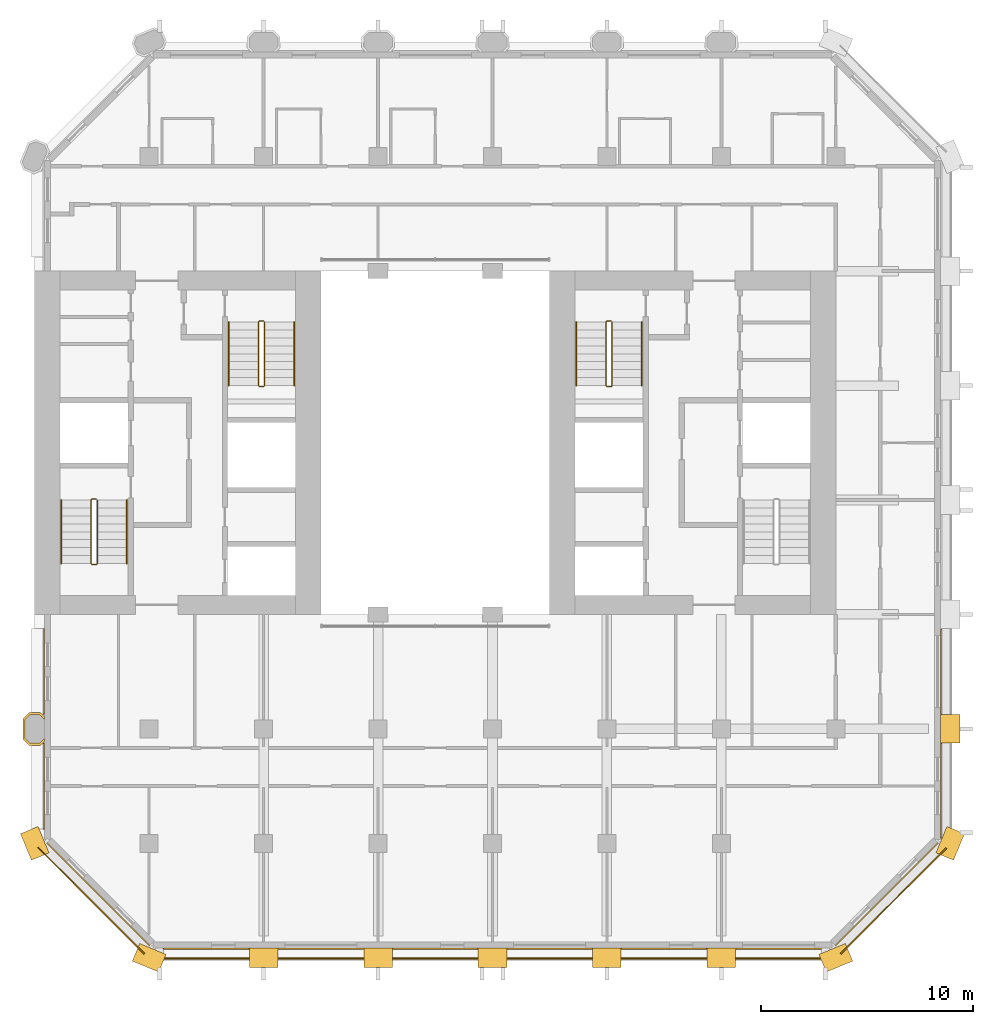
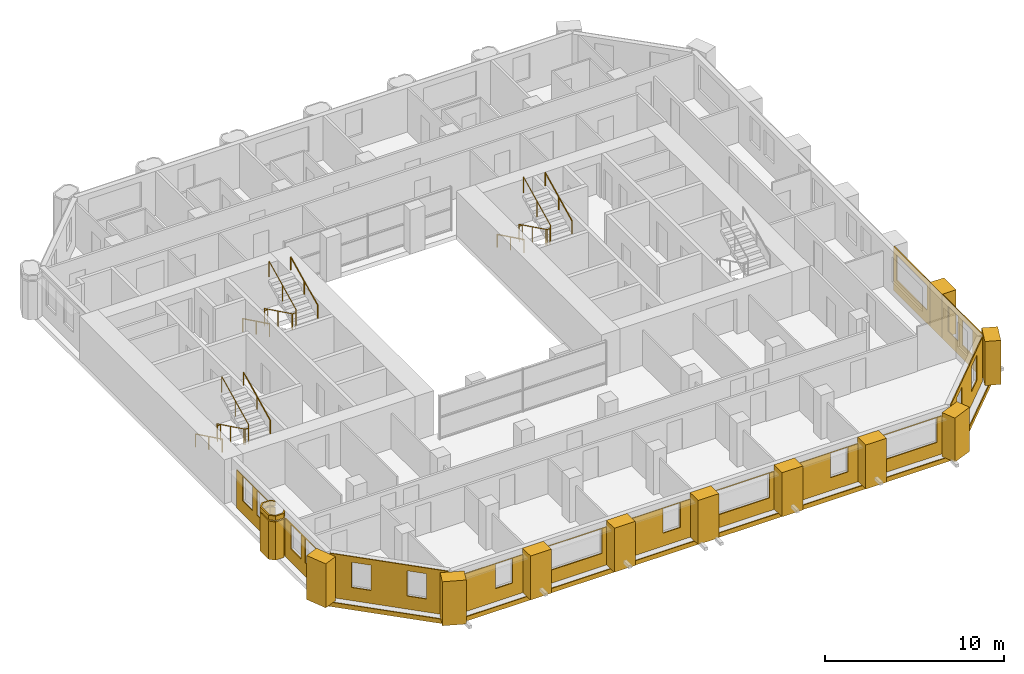
# One storey, part 12 of 13: 27 coverings, 9 railings.
"""IFC4 building model written with IfcOpenShell, lengths in metres."""

from ifc_helpers import new_model, si_unit, direction, frame, frame_2d, origin, origin_2d, place, context, subcontext, project, spatial, polyline, rectangle, circle, outline, extrude, material, layer, layer_set, type_object, element, save


model = new_model("IFC4")

# Units and contexts
model_context = context("Model", 3, precision=1e-05, world=origin(), true_north=direction((0.0, 1.0)))
body_context = subcontext(model_context, "Body", "Model", "MODEL_VIEW")
ifc_project = project(units=[si_unit("LENGTHUNIT", "METRE"), si_unit("AREAUNIT", "SQUARE_METRE"), si_unit("VOLUMEUNIT", "CUBIC_METRE"), si_unit("PLANEANGLEUNIT", "RADIAN"), si_unit("MASSUNIT", "GRAM", prefix="KILO")], contexts=[model_context])

# Site, building, storey
site_placement = place(None, origin())
site = spatial("IfcSite", under=ifc_project, at=site_placement, CompositionType="ELEMENT")
building_placement = place(site_placement, origin())
building = spatial("IfcBuilding", under=site, at=building_placement, Name="Tabaq Tower and Sports Hall", CompositionType="ELEMENT")
storey_placement = place(building_placement, frame((0.0, 0.0, 169.300048828125)))
storey = spatial("IfcBuildingStorey", under=building, at=storey_placement, Name="L40", CompositionType="ELEMENT", Elevation=169.300048828125)

# Coverings
ifc_material_1 = material(Name="Precast concrete C60/75", Category="concrete")
ifc_layer_1 = layer(ifc_material_1, 0.10009765625)
ifc_layer_set_1 = layer_set([ifc_layer_1], Name="Column cladding 100")
covering_type_1 = type_object("IfcCoveringType", Name="Column cladding 100", PredefinedType="CLADDING", material=ifc_layer_set_1)
covering_1_placement = place(storey_placement, origin())
element("IfcCovering", 1, at=covering_1_placement, inside=storey, type_object=covering_type_1, Name="Column cladding L40 PC-2C-H1", PredefinedType="CLADDING", context=body_context, shape_type="SweptSolid", body=[
    extrude(outline(polyline([(5.1337890625, 10.025390625), (4.850341796875, 10.30859375), (4.850341796875, 11.291259765625), (5.1337890625, 11.57470703125), (5.666259765625, 11.57470703125), (5.849609375, 11.391357421875), (5.849609375, 11.250732421875), (5.625244140625, 11.475341796875), (5.1748046875, 11.475341796875), (4.94970703125, 11.250244140625), (4.94970703125, 10.349853515625), (5.1748046875, 10.124755859375), (5.625244140625, 10.124755859375), (5.849609375, 10.349365234375), (5.849609375, 10.208740234375), (5.666259765625, 10.025390625), (5.1337890625, 10.025390625)])), origin(), (0.0, 0.0, 1.0), 2.599853515625),
])
covering_2_placement = place(storey_placement, frame((0.0, 0.0, 2.699951171875)))
element("IfcCovering", 2, at=covering_2_placement, inside=storey, type_object=covering_type_1, Name="Column cladding L40 PC-2C-H1 2", PredefinedType="CLADDING", context=body_context, shape_type="SweptSolid", body=[
    extrude(outline(polyline([(5.1337890625, 10.025390625), (4.850341796875, 10.30859375), (4.850341796875, 11.291259765625), (5.1337890625, 11.57470703125), (5.666259765625, 11.57470703125), (5.849609375, 11.391357421875), (5.849609375, 11.250732421875), (5.625244140625, 11.475341796875), (5.1748046875, 11.475341796875), (4.94970703125, 11.250244140625), (4.94970703125, 10.349853515625), (5.1748046875, 10.124755859375), (5.625244140625, 10.124755859375), (5.849609375, 10.349365234375), (5.849609375, 10.208740234375), (5.666259765625, 10.025390625), (5.1337890625, 10.025390625)])), origin(), (0.0, 0.0, 1.0), 0.300048828125),
])
ifc_material_2 = material(Name="Precast concrete C60/75", Category="concrete")
ifc_layer_2 = layer(ifc_material_2, 0.06005859375)
ifc_layer_set_2 = layer_set([ifc_layer_2], Name="Edge beam cladding 60")
covering_type_2 = type_object("IfcCoveringType", Name="Edge beam cladding 60", PredefinedType="CLADDING", material=ifc_layer_set_2)
covering_3_placement = place(storey_placement, frame((11.0986328125, -0.030029296875, -0.300048828125), z_axis=(0.0, 0.0, 1.0), x_axis=(1.0, 0.0, 0.0)))
element("IfcCovering", 3, at=covering_3_placement, inside=storey, type_object=covering_type_2, Name="Edge beam cladding L40 1", PredefinedType="CLADDING", context=body_context, shape_type="SweptSolid", body=[
    extrude(rectangle(XDim=31.802734375, YDim=0.06005859375, at=frame_2d((15.9013671875, 0.0))), origin(), (0.0, 0.0, 1.0), 0.300048828125),
])
covering_4_placement = place(storey_placement, frame((43.432373046875, 0.18994140625, -0.300048828125), z_axis=(0.0, 0.0, 1.0), x_axis=(0.707106781187, 0.707106781187, 0.0)))
element("IfcCovering", 4, at=covering_4_placement, inside=storey, type_object=covering_type_2, Name="Edge beam cladding L40 2", PredefinedType="CLADDING", context=body_context, shape_type="SweptSolid", body=[
    extrude(rectangle(XDim=7.03955078125, YDim=0.06005859375, at=frame_2d((3.519775390625, 0.0))), origin(), (0.0, 0.0, 1.0), 0.300048828125),
])
covering_5_placement = place(storey_placement, frame((5.5556640625, 5.201904296875, -0.300048828125), z_axis=(0.0, 0.0, 1.0), x_axis=(0.707106781187, -0.707106781187, 0.0)))
element("IfcCovering", 5, at=covering_5_placement, inside=storey, type_object=covering_type_2, Name="Edge beam cladding L40 5", PredefinedType="CLADDING", context=body_context, shape_type="SweptSolid", body=[
    extrude(rectangle(XDim=7.087890625, YDim=0.06005859375, at=frame_2d((3.5439453125, 0.0))), origin(), (0.0, 0.0, 1.0), 0.300048828125),
])
ifc_material_3 = material(Name="White precast concrete C60/75", Category="concrete")
covering_type_3 = type_object("IfcCoveringType", Name="Pier cladding hung 1350x900", PredefinedType="CLADDING", material=ifc_material_3)
for number, where, z_axis, x_axis, name in (
    (6, (5.1416015625, 6.023681640625, 0.0), (0.0, 0.0, 1.0), (0.382649923473, -0.923893411637, 0.0), "Hung pier cladding 1/1"),
    (7, (10.17626953125, 0.25830078125, 0.0), (0.0, 0.0, 1.0), (0.923893411637, -0.382649923473, 0.0), "Hung pier cladding 2/0"),
    (8, (15.52490234375, 0.0, 0.0), (0.0, 0.0, 1.0), (1.0, 0.0, 0.0), "Hung pier cladding 3/0"),
):
    element("IfcCovering", number, at=place(storey_placement, frame(where, z_axis=z_axis, x_axis=x_axis)), inside=storey, type_object=covering_type_3, Name=name, PredefinedType="CLADDING", context=body_context, shape_type="SweptSolid", body=[
        extrude(rectangle(XDim=1.35009765625, YDim=0.89990234375, at=frame_2d((0.675048828125, 0.0))), origin(), (0.0, 0.0, 1.0), 3.0),
    ])
covering_6_placement = place(storey_placement, frame((20.925048828125, 0.0, 0.0), z_axis=(0.0, 0.0, 1.0), x_axis=(1.0, 0.0, 0.0)))
element("IfcCovering", 9, at=covering_6_placement, inside=storey, type_object=covering_type_3, Name="Hung pier cladding 4/0", PredefinedType="CLADDING", context=body_context, shape_type="SweptSolid", body=[
    extrude(rectangle(XDim=1.349853515625, YDim=0.89990234375, at=frame_2d((0.6748046875, 0.0))), origin(), (0.0, 0.0, 1.0), 3.0),
])
covering_7_placement = place(storey_placement, frame((26.324951171875, 0.0, 0.0), z_axis=(0.0, 0.0, 1.0), x_axis=(1.0, 0.0, 0.0)))
element("IfcCovering", 10, at=covering_7_placement, inside=storey, type_object=covering_type_3, Name="Hung pier cladding 5/0", PredefinedType="CLADDING", context=body_context, shape_type="SweptSolid", body=[
    extrude(rectangle(XDim=1.35009765625, YDim=0.89990234375, at=frame_2d((0.675048828125, 0.0))), origin(), (0.0, 0.0, 1.0), 3.0),
])
covering_8_placement = place(storey_placement, frame((31.72509765625, 0.0, 0.0), z_axis=(0.0, 0.0, 1.0), x_axis=(1.0, 0.0, 0.0)))
element("IfcCovering", 11, at=covering_8_placement, inside=storey, type_object=covering_type_3, Name="Hung pier cladding 6/0", PredefinedType="CLADDING", context=body_context, shape_type="SweptSolid", body=[
    extrude(rectangle(XDim=1.349853515625, YDim=0.89990234375, at=frame_2d((0.6748046875, 0.0))), origin(), (0.0, 0.0, 1.0), 3.0),
])
for number, where, z_axis, x_axis, name in (
    (12, (37.125, 0.0, 0.0), (0.0, 0.0, 1.0), (1.0, 0.0, 0.0), "Hung pier cladding 7/0"),
    (13, (42.576416015625, -0.25830078125, 0.0), (0.0, 0.0, 1.0), (0.923893411637, 0.382649923473, 0.0), "Hung pier cladding 8/0"),
    (14, (48.341796875, 4.7763671875, 0.0), (0.0, 0.0, 1.0), (0.382649923473, 0.923893411637, 0.0), "Hung pier cladding 9/1"),
    (15, (48.60009765625, 10.125, 0.0), (0.0, 0.0, 1.0), (0.0, 1.0, 0.0), "Hung pier cladding 9/2"),
):
    element("IfcCovering", number, at=place(storey_placement, frame(where, z_axis=z_axis, x_axis=x_axis)), inside=storey, type_object=covering_type_3, Name=name, PredefinedType="CLADDING", context=body_context, shape_type="SweptSolid", body=[
        extrude(rectangle(XDim=1.35009765625, YDim=0.89990234375, at=frame_2d((0.675048828125, 0.0))), origin(), (0.0, 0.0, 1.0), 3.0),
    ])

# Railings
ifc_material_4 = material(Name="Stainless steel", Category="steel")
railing_type_1 = type_object("IfcRailingType", Name="Stair guard", PredefinedType="GUARDRAIL", material=ifc_material_4)
railing_1_placement = place(storey_placement, frame((8.300048828125, 21.64990234375, 0.0)))
element("IfcRailing", 16, at=railing_1_placement, inside=storey, type_object=railing_type_1, Name="L40 ST1 stair guard 1", PredefinedType="GUARDRAIL", context=body_context, shape_type="SweptSolid", body=[
    extrude(circle(Radius=0.02392578125, at=origin_2d()), frame((0.0, 0.0, 1.076171875), z_axis=(-1.0, 0.0, 0.0), x_axis=(0.0, -1.0, 0.0)), (0.0, 0.0, 1.0), 0.199951171875),
    extrude(circle(Radius=0.02392578125, at=origin_2d()), frame((-0.199951171875, 0.0, 1.076171875), z_axis=(-0.254733673405, -0.25349107012, 0.933195066962), x_axis=(0.705375805398, -0.708833529934, 0.0)), (0.0, 0.0, 1.0), 0.196533203125),
    extrude(circle(Radius=0.02392578125, at=origin_2d()), frame((-0.25, -0.0498046875, 1.25927734375), z_axis=(0.0, -0.898397823093, 0.439182594671), x_axis=(1.0, 0.0, 0.0)), (0.0, 0.0, 1.0), 3.33935546875),
    extrude(circle(Radius=0.02392578125, at=origin_2d()), frame((-0.25, -3.0498046875, 2.72607421875), z_axis=(0.707106781187, -0.707106781187, 0.0), x_axis=(0.707106781187, 0.707106781187, 0.0)), (0.0, 0.0, 1.0), 0.07080078125),
    extrude(circle(Radius=0.02392578125, at=origin_2d()), frame((-0.199951171875, -3.099853515625, 2.72607421875), z_axis=(1.0, 0.0, 0.0), x_axis=(0.0, 1.0, 0.0)), (0.0, 0.0, 1.0), 0.199951171875),
    extrude(circle(Radius=0.02392578125, at=origin_2d()), frame((0.0, -3.099853515625, 2.72607421875), z_axis=(0.254653276557, 0.254653276557, 0.932900539971), x_axis=(-0.707106781187, 0.707106781187, 0.0)), (0.0, 0.0, 1.0), 0.196533203125),
    extrude(circle(Radius=0.02392578125, at=origin_2d()), frame((0.050048828125, -3.0498046875, 2.9091796875), z_axis=(0.0, 0.898368975038, 0.439241601728), x_axis=(-1.0, 0.0, 0.0)), (0.0, 0.0, 1.0), 3.33935546875),
    extrude(circle(Radius=0.02099609375, at=origin_2d()), origin(), (0.0, 0.0, 1.0), 1.052001953125),
    extrude(circle(Radius=0.02099609375, at=origin_2d()), frame((-0.199951171875, 0.0, 0.0)), (0.0, 0.0, 1.0), 1.052001953125),
    extrude(circle(Radius=0.02099609375, at=origin_2d()), frame((-0.25, -0.0498046875, 0.183349609375)), (0.0, 0.0, 1.0), 1.052001953125),
    extrude(circle(Radius=0.02099609375, at=origin_2d()), frame((-0.25, -1.5498046875, 0.91650390625)), (0.0, 0.0, 1.0), 1.052001953125),
    extrude(circle(Radius=0.02099609375, at=origin_2d()), frame((-0.25, -3.0498046875, 1.64990234375)), (0.0, 0.0, 1.0), 1.052001953125),
    extrude(circle(Radius=0.02099609375, at=origin_2d()), frame((-0.199951171875, -3.099853515625, 1.64990234375)), (0.0, 0.0, 1.0), 1.052001953125),
    extrude(circle(Radius=0.02099609375, at=origin_2d()), frame((0.0, -3.099853515625, 1.64990234375)), (0.0, 0.0, 1.0), 1.052001953125),
    extrude(circle(Radius=0.02099609375, at=origin_2d()), frame((0.050048828125, -3.0498046875, 1.833251953125)), (0.0, 0.0, 1.0), 1.052001953125),
    extrude(circle(Radius=0.02099609375, at=origin_2d()), frame((0.050048828125, -1.5498046875, 2.566650390625)), (0.0, 0.0, 1.0), 1.052001953125),
    extrude(circle(Radius=0.02099609375, at=origin_2d()), frame((0.050048828125, -0.0498046875, 3.300048828125)), (0.0, 0.0, 1.0), 1.052001953125),
])
railing_2_placement = place(storey_placement, frame((16.199951171875, 30.050048828125, 0.0)))
element("IfcRailing", 17, at=railing_2_placement, inside=storey, type_object=railing_type_1, Name="L40 ST2 stair guard 1", PredefinedType="GUARDRAIL", context=body_context, shape_type="SweptSolid", body=[
    extrude(circle(Radius=0.02392578125, at=origin_2d()), frame((0.0, 0.0, 1.076171875), z_axis=(-1.0, 0.0, 0.0), x_axis=(0.0, -1.0, 0.0)), (0.0, 0.0, 1.0), 0.199951171875),
    extrude(circle(Radius=0.02392578125, at=origin_2d()), frame((-0.199951171875, 0.0, 1.076171875), z_axis=(-0.254653276557, -0.254653276557, 0.932900539971), x_axis=(0.707106781187, -0.707106781187, 0.0)), (0.0, 0.0, 1.0), 0.196533203125),
    extrude(circle(Radius=0.02392578125, at=origin_2d()), frame((-0.25, -0.050048828125, 1.25927734375), z_axis=(0.0, -0.898397823093, 0.439182594671), x_axis=(1.0, 0.0, 0.0)), (0.0, 0.0, 1.0), 3.33935546875),
    extrude(circle(Radius=0.02392578125, at=origin_2d()), frame((-0.25, -3.050048828125, 2.72607421875), z_axis=(0.707106781187, -0.707106781187, 0.0), x_axis=(0.707106781187, 0.707106781187, 0.0)), (0.0, 0.0, 1.0), 0.07080078125),
    extrude(circle(Radius=0.02392578125, at=origin_2d()), frame((-0.199951171875, -3.10009765625, 2.72607421875), z_axis=(1.0, 0.0, 0.0), x_axis=(0.0, 1.0, 0.0)), (0.0, 0.0, 1.0), 0.199951171875),
    extrude(circle(Radius=0.02392578125, at=origin_2d()), frame((0.0, -3.10009765625, 2.72607421875), z_axis=(0.254653276557, 0.254653276557, 0.932900539971), x_axis=(-0.707106781187, 0.707106781187, 0.0)), (0.0, 0.0, 1.0), 0.196533203125),
    extrude(circle(Radius=0.02392578125, at=origin_2d()), frame((0.050048828125, -3.050048828125, 2.9091796875), z_axis=(0.0, 0.898368975038, 0.439241601728), x_axis=(-1.0, 0.0, 0.0)), (0.0, 0.0, 1.0), 3.33935546875),
    extrude(circle(Radius=0.02099609375, at=origin_2d()), origin(), (0.0, 0.0, 1.0), 1.052001953125),
    extrude(circle(Radius=0.02099609375, at=origin_2d()), frame((-0.199951171875, 0.0, 0.0)), (0.0, 0.0, 1.0), 1.052001953125),
    extrude(circle(Radius=0.02099609375, at=origin_2d()), frame((-0.25, -0.050048828125, 0.183349609375)), (0.0, 0.0, 1.0), 1.052001953125),
    extrude(circle(Radius=0.02099609375, at=origin_2d()), frame((-0.25, -1.550048828125, 0.91650390625)), (0.0, 0.0, 1.0), 1.052001953125),
    extrude(circle(Radius=0.02099609375, at=origin_2d()), frame((-0.25, -3.050048828125, 1.64990234375)), (0.0, 0.0, 1.0), 1.052001953125),
    extrude(circle(Radius=0.02099609375, at=origin_2d()), frame((-0.199951171875, -3.10009765625, 1.64990234375)), (0.0, 0.0, 1.0), 1.052001953125),
    extrude(circle(Radius=0.02099609375, at=origin_2d()), frame((0.0, -3.10009765625, 1.64990234375)), (0.0, 0.0, 1.0), 1.052001953125),
    extrude(circle(Radius=0.02099609375, at=origin_2d()), frame((0.050048828125, -3.050048828125, 1.833251953125)), (0.0, 0.0, 1.0), 1.052001953125),
    extrude(circle(Radius=0.02099609375, at=origin_2d()), frame((0.050048828125, -1.550048828125, 2.566650390625)), (0.0, 0.0, 1.0), 1.052001953125),
    extrude(circle(Radius=0.02099609375, at=origin_2d()), frame((0.050048828125, -0.050048828125, 3.300048828125)), (0.0, 0.0, 1.0), 1.052001953125),
])
railing_3_placement = place(storey_placement, frame((32.60009765625, 30.050048828125, 0.0)))
element("IfcRailing", 18, at=railing_3_placement, inside=storey, type_object=railing_type_1, Name="L40 ST4 stair guard 1", PredefinedType="GUARDRAIL", context=body_context, shape_type="SweptSolid", body=[
    extrude(circle(Radius=0.02392578125, at=origin_2d()), frame((0.0, 0.0, 1.076171875), z_axis=(-1.0, 0.0, 0.0), x_axis=(0.0, -1.0, 0.0)), (0.0, 0.0, 1.0), 0.2001953125),
    extrude(circle(Radius=0.02392578125, at=origin_2d()), frame((-0.2001953125, 0.0, 1.076171875), z_axis=(-0.25349107012, -0.254733673405, 0.933195066962), x_axis=(0.708833529934, -0.705375805398, 0.0)), (0.0, 0.0, 1.0), 0.196533203125),
    extrude(circle(Radius=0.02392578125, at=origin_2d()), frame((-0.25, -0.050048828125, 1.25927734375), z_axis=(0.0, -0.898397823093, 0.439182594671), x_axis=(1.0, 0.0, 0.0)), (0.0, 0.0, 1.0), 3.33935546875),
    extrude(circle(Radius=0.02392578125, at=origin_2d()), frame((-0.25, -3.050048828125, 2.72607421875), z_axis=(0.705375805398, -0.708833529934, 0.0), x_axis=(0.708833529934, 0.705375805398, 0.0)), (0.0, 0.0, 1.0), 0.070556640625),
    extrude(circle(Radius=0.02392578125, at=origin_2d()), frame((-0.2001953125, -3.10009765625, 2.72607421875), z_axis=(1.0, 0.0, 0.0), x_axis=(0.0, 1.0, 0.0)), (0.0, 0.0, 1.0), 0.2001953125),
    extrude(circle(Radius=0.02392578125, at=origin_2d()), frame((0.0, -3.10009765625, 2.72607421875), z_axis=(0.25349107012, 0.254733673405, 0.933195066962), x_axis=(-0.708833529934, 0.705375805398, 0.0)), (0.0, 0.0, 1.0), 0.196533203125),
    extrude(circle(Radius=0.02392578125, at=origin_2d()), frame((0.0498046875, -3.050048828125, 2.9091796875), z_axis=(0.0, 0.898368975038, 0.439241601728), x_axis=(-1.0, 0.0, 0.0)), (0.0, 0.0, 1.0), 3.33935546875),
    extrude(circle(Radius=0.02099609375, at=origin_2d()), origin(), (0.0, 0.0, 1.0), 1.052001953125),
    extrude(circle(Radius=0.02099609375, at=origin_2d()), frame((-0.2001953125, 0.0, 0.0)), (0.0, 0.0, 1.0), 1.052001953125),
    extrude(circle(Radius=0.02099609375, at=origin_2d()), frame((-0.25, -0.050048828125, 0.183349609375)), (0.0, 0.0, 1.0), 1.052001953125),
    extrude(circle(Radius=0.02099609375, at=origin_2d()), frame((-0.25, -1.550048828125, 0.91650390625)), (0.0, 0.0, 1.0), 1.052001953125),
    extrude(circle(Radius=0.02099609375, at=origin_2d()), frame((-0.25, -3.050048828125, 1.64990234375)), (0.0, 0.0, 1.0), 1.052001953125),
    extrude(circle(Radius=0.02099609375, at=origin_2d()), frame((-0.2001953125, -3.10009765625, 1.64990234375)), (0.0, 0.0, 1.0), 1.052001953125),
    extrude(circle(Radius=0.02099609375, at=origin_2d()), frame((0.0, -3.10009765625, 1.64990234375)), (0.0, 0.0, 1.0), 1.052001953125),
    extrude(circle(Radius=0.02099609375, at=origin_2d()), frame((0.0498046875, -3.050048828125, 1.833251953125)), (0.0, 0.0, 1.0), 1.052001953125),
    extrude(circle(Radius=0.02099609375, at=origin_2d()), frame((0.0498046875, -1.550048828125, 2.566650390625)), (0.0, 0.0, 1.0), 1.052001953125),
    extrude(circle(Radius=0.02099609375, at=origin_2d()), frame((0.0498046875, -0.050048828125, 3.300048828125)), (0.0, 0.0, 1.0), 1.052001953125),
])
ifc_material_5 = material(Name="Stainless steel", Category="steel")
railing_type_2 = type_object("IfcRailingType", Name="Stair handrail", PredefinedType="HANDRAIL", material=ifc_material_5)
railing_4_placement = place(storey_placement, frame((6.64990234375, 21.60009765625, 0.183349609375)))
element("IfcRailing", 19, at=railing_4_placement, inside=storey, type_object=railing_type_2, Name="L40 ST1 stair handrail 1", PredefinedType="HANDRAIL", context=body_context, shape_type="SweptSolid", body=[
    extrude(circle(Radius=0.02392578125, at=origin_2d()), frame((0.0, 0.0, 0.8759765625), z_axis=(0.0, -0.898397823093, 0.439182594671), x_axis=(1.0, 0.0, 0.0)), (0.0, 0.0, 1.0), 3.33935546875),
    extrude(circle(Radius=0.02099609375, at=origin_2d()), origin(), (0.0, 0.0, 1.0), 0.851806640625),
    extrude(circle(Radius=0.02099609375, at=origin_2d()), frame((0.0, -1.5, 0.7333984375)), (0.0, 0.0, 1.0), 0.851806640625),
    extrude(circle(Radius=0.02099609375, at=origin_2d()), frame((0.0, -3.0, 1.466552734375)), (0.0, 0.0, 1.0), 0.851806640625),
])
railing_5_placement = place(storey_placement, frame((9.75, 18.60009765625, 1.833251953125)))
element("IfcRailing", 20, at=railing_5_placement, inside=storey, type_object=railing_type_2, Name="L40 ST1 stair handrail 2", PredefinedType="HANDRAIL", context=body_context, shape_type="SweptSolid", body=[
    extrude(circle(Radius=0.02392578125, at=origin_2d()), frame((0.0, 0.0, 0.8759765625), z_axis=(0.0, 0.898368975038, 0.439241601728), x_axis=(-1.0, 0.0, 0.0)), (0.0, 0.0, 1.0), 3.33935546875),
    extrude(circle(Radius=0.02099609375, at=origin_2d()), origin(), (0.0, 0.0, 1.0), 0.851806640625),
    extrude(circle(Radius=0.02099609375, at=origin_2d()), frame((0.0, 1.5, 0.7333984375)), (0.0, 0.0, 1.0), 0.851806640625),
    extrude(circle(Radius=0.02099609375, at=origin_2d()), frame((0.0, 3.0, 1.466796875)), (0.0, 0.0, 1.0), 0.851806640625),
])
railing_6_placement = place(storey_placement, frame((14.550048828125, 30.0, 0.183349609375)))
element("IfcRailing", 21, at=railing_6_placement, inside=storey, type_object=railing_type_2, Name="L40 ST2 stair handrail 1", PredefinedType="HANDRAIL", context=body_context, shape_type="SweptSolid", body=[
    extrude(circle(Radius=0.02392578125, at=origin_2d()), frame((0.0, 0.0, 0.8759765625), z_axis=(0.0, -0.898397823093, 0.439182594671), x_axis=(1.0, 0.0, 0.0)), (0.0, 0.0, 1.0), 3.33935546875),
    extrude(circle(Radius=0.02099609375, at=origin_2d()), origin(), (0.0, 0.0, 1.0), 0.851806640625),
    extrude(circle(Radius=0.02099609375, at=origin_2d()), frame((0.0, -1.5, 0.7333984375)), (0.0, 0.0, 1.0), 0.851806640625),
    extrude(circle(Radius=0.02099609375, at=origin_2d()), frame((0.0, -3.0, 1.466552734375)), (0.0, 0.0, 1.0), 0.851806640625),
])
railing_7_placement = place(storey_placement, frame((17.64990234375, 27.0, 1.833251953125)))
element("IfcRailing", 22, at=railing_7_placement, inside=storey, type_object=railing_type_2, Name="L40 ST2 stair handrail 2", PredefinedType="HANDRAIL", context=body_context, shape_type="SweptSolid", body=[
    extrude(circle(Radius=0.02392578125, at=origin_2d()), frame((0.0, 0.0, 0.8759765625), z_axis=(0.0, 0.898368975038, 0.439241601728), x_axis=(-1.0, 0.0, 0.0)), (0.0, 0.0, 1.0), 3.33935546875),
    extrude(circle(Radius=0.02099609375, at=origin_2d()), origin(), (0.0, 0.0, 1.0), 0.851806640625),
    extrude(circle(Radius=0.02099609375, at=origin_2d()), frame((0.0, 1.5, 0.7333984375)), (0.0, 0.0, 1.0), 0.851806640625),
    extrude(circle(Radius=0.02099609375, at=origin_2d()), frame((0.0, 3.0, 1.466796875)), (0.0, 0.0, 1.0), 0.851806640625),
])
railing_8_placement = place(storey_placement, frame((30.949951171875, 30.0, 0.183349609375)))
element("IfcRailing", 23, at=railing_8_placement, inside=storey, type_object=railing_type_2, Name="L40 ST4 stair handrail 1", PredefinedType="HANDRAIL", context=body_context, shape_type="SweptSolid", body=[
    extrude(circle(Radius=0.02392578125, at=origin_2d()), frame((0.0, 0.0, 0.8759765625), z_axis=(0.0, -0.898397823093, 0.439182594671), x_axis=(1.0, 0.0, 0.0)), (0.0, 0.0, 1.0), 3.33935546875),
    extrude(circle(Radius=0.02099609375, at=origin_2d()), origin(), (0.0, 0.0, 1.0), 0.851806640625),
    extrude(circle(Radius=0.02099609375, at=origin_2d()), frame((0.0, -1.5, 0.7333984375)), (0.0, 0.0, 1.0), 0.851806640625),
    extrude(circle(Radius=0.02099609375, at=origin_2d()), frame((0.0, -3.0, 1.466552734375)), (0.0, 0.0, 1.0), 0.851806640625),
])
railing_9_placement = place(storey_placement, frame((34.050048828125, 27.0, 1.833251953125)))
element("IfcRailing", 24, at=railing_9_placement, inside=storey, type_object=railing_type_2, Name="L40 ST4 stair handrail 2", PredefinedType="HANDRAIL", context=body_context, shape_type="SweptSolid", body=[
    extrude(circle(Radius=0.02392578125, at=origin_2d()), frame((0.0, 0.0, 0.8759765625), z_axis=(0.0, 0.898368975038, 0.439241601728), x_axis=(-1.0, 0.0, 0.0)), (0.0, 0.0, 1.0), 3.33935546875),
    extrude(circle(Radius=0.02099609375, at=origin_2d()), origin(), (0.0, 0.0, 1.0), 0.851806640625),
    extrude(circle(Radius=0.02099609375, at=origin_2d()), frame((0.0, 1.5, 0.7333984375)), (0.0, 0.0, 1.0), 0.851806640625),
    extrude(circle(Radius=0.02099609375, at=origin_2d()), frame((0.0, 3.0, 1.466796875)), (0.0, 0.0, 1.0), 0.851806640625),
])

# Coverings
ifc_material_6 = material(Name="Precast concrete C60/75", Category="concrete")
ifc_layer_3 = layer(ifc_material_6, 0.06005859375)
ifc_layer_set_3 = layer_set([ifc_layer_3], Name="White precast cladding panel 60 C60/75")
covering_type_4 = type_object("IfcCoveringType", Name="White precast cladding panel 60 C60/75", PredefinedType="CLADDING", material=ifc_layer_set_3)
covering_9_placement = place(storey_placement, frame((11.465087890625, 0.419921875, 0.0), z_axis=(0.0, 0.0, 1.0), x_axis=(1.0, 0.0, 0.0)))
element("IfcCovering", 25, at=covering_9_placement, inside=storey, type_object=covering_type_4, Name="White precast cladding panel L40 wall00", PredefinedType="CLADDING", context=body_context, shape_type="SweptSolid", body=[
    extrude(outline(polyline([(0.0, 0.0), (4.0498046875, 0.0), (4.0498046875, 2.58984375), (0.0, 2.58984375), (0.0, 0.0)]), holes=[polyline([(3.39501953125, 0.889892578125), (2.27490234375, 0.889892578125), (2.27490234375, 2.56005859375), (3.39501953125, 2.56005859375), (3.39501953125, 0.889892578125)])]), frame((0.0, 0.030029296875, 0.0), z_axis=(0.0, -1.0, 0.0), x_axis=(1.0, 0.0, 0.0)), (0.0, 0.0, 1.0), 0.06005859375),
])
covering_10_placement = place(storey_placement, frame((16.885009765625, 0.419921875, 0.0), z_axis=(0.0, 0.0, 1.0), x_axis=(1.0, 0.0, 0.0)))
element("IfcCovering", 26, at=covering_10_placement, inside=storey, type_object=covering_type_4, Name="White precast cladding panel L40 wall00 2", PredefinedType="CLADDING", context=body_context, shape_type="SweptSolid", body=[
    extrude(outline(polyline([(0.0, 0.0), (4.030029296875, 0.0), (4.030029296875, 2.58984375), (0.0, 2.58984375), (0.0, 0.0)]), holes=[polyline([(3.72509765625, 0.889892578125), (0.304931640625, 0.889892578125), (0.304931640625, 2.56005859375), (3.72509765625, 2.56005859375), (3.72509765625, 0.889892578125)])]), frame((0.0, 0.030029296875, 0.0), z_axis=(0.0, -1.0, 0.0), x_axis=(1.0, 0.0, 0.0)), (0.0, 0.0, 1.0), 0.06005859375),
])
covering_11_placement = place(storey_placement, frame((22.284912109375, 0.419921875, 0.0), z_axis=(0.0, 0.0, 1.0), x_axis=(1.0, 0.0, 0.0)))
element("IfcCovering", 27, at=covering_11_placement, inside=storey, type_object=covering_type_4, Name="White precast cladding panel L40 wall00 3", PredefinedType="CLADDING", context=body_context, shape_type="SweptSolid", body=[
    extrude(outline(polyline([(0.0, 0.0), (4.030029296875, 0.0), (4.030029296875, 2.58984375), (0.0, 2.58984375), (0.0, 0.0)]), holes=[polyline([(3.375, 0.889892578125), (2.2548828125, 0.889892578125), (2.2548828125, 2.56005859375), (3.375, 2.56005859375), (3.375, 0.889892578125)])]), frame((0.0, 0.030029296875, 0.0), z_axis=(0.0, -1.0, 0.0), x_axis=(1.0, 0.0, 0.0)), (0.0, 0.0, 1.0), 0.06005859375),
])
covering_12_placement = place(storey_placement, frame((27.68505859375, 0.419921875, 0.0), z_axis=(0.0, 0.0, 1.0), x_axis=(1.0, 0.0, 0.0)))
element("IfcCovering", 28, at=covering_12_placement, inside=storey, type_object=covering_type_4, Name="White precast cladding panel L40 wall00 4", PredefinedType="CLADDING", context=body_context, shape_type="SweptSolid", body=[
    extrude(outline(polyline([(0.0, 0.0), (4.030029296875, 0.0), (4.030029296875, 2.58984375), (0.0, 2.58984375), (0.0, 0.0)]), holes=[polyline([(3.72509765625, 0.889892578125), (0.304931640625, 0.889892578125), (0.304931640625, 2.56005859375), (3.72509765625, 2.56005859375), (3.72509765625, 0.889892578125)])]), frame((0.0, 0.030029296875, 0.0), z_axis=(0.0, -1.0, 0.0), x_axis=(1.0, 0.0, 0.0)), (0.0, 0.0, 1.0), 0.06005859375),
])
covering_13_placement = place(storey_placement, frame((33.0849609375, 0.419921875, 0.0), z_axis=(0.0, 0.0, 1.0), x_axis=(1.0, 0.0, 0.0)))
element("IfcCovering", 29, at=covering_13_placement, inside=storey, type_object=covering_type_4, Name="White precast cladding panel L40 wall00 5", PredefinedType="CLADDING", context=body_context, shape_type="SweptSolid", body=[
    extrude(outline(polyline([(0.0, 0.0), (4.030029296875, 0.0), (4.030029296875, 2.58984375), (0.0, 2.58984375), (0.0, 0.0)]), holes=[polyline([(3.375, 0.889892578125), (2.2548828125, 0.889892578125), (2.2548828125, 2.56005859375), (3.375, 2.56005859375), (3.375, 0.889892578125)])]), frame((0.0, 0.030029296875, 0.0), z_axis=(0.0, -1.0, 0.0), x_axis=(1.0, 0.0, 0.0)), (0.0, 0.0, 1.0), 0.06005859375),
])
covering_14_placement = place(storey_placement, frame((38.485107421875, 0.419921875, 0.0), z_axis=(0.0, 0.0, 1.0), x_axis=(1.0, 0.0, 0.0)))
element("IfcCovering", 30, at=covering_14_placement, inside=storey, type_object=covering_type_4, Name="White precast cladding panel L40 wall00 6", PredefinedType="CLADDING", context=body_context, shape_type="SweptSolid", body=[
    extrude(outline(polyline([(0.0, 0.0), (4.0498046875, 0.0), (4.0498046875, 2.58984375), (0.0, 2.58984375), (0.0, 0.0)]), holes=[polyline([(3.72509765625, 0.889892578125), (0.304931640625, 0.889892578125), (0.304931640625, 2.56005859375), (3.72509765625, 2.56005859375), (3.72509765625, 0.889892578125)])]), frame((0.0, 0.030029296875, 0.0), z_axis=(0.0, -1.0, 0.0), x_axis=(1.0, 0.0, 0.0)), (0.0, 0.0, 1.0), 0.06005859375),
])
covering_15_placement = place(storey_placement, frame((43.177734375, 0.57177734375, 0.0), z_axis=(0.0, 0.0, 1.0), x_axis=(0.707106781187, 0.707106781187, 0.0)))
element("IfcCovering", 31, at=covering_15_placement, inside=storey, type_object=covering_type_4, Name="White precast cladding panel L40 wall01", PredefinedType="CLADDING", context=body_context, shape_type="SweptSolid", body=[
    extrude(outline(polyline([(0.0, 0.0), (6.85986328125, 0.0), (6.85986328125, 3.0), (0.0, 3.0), (0.0, 0.0)]), holes=[polyline([(1.269775390625, 2.60986328125), (2.389892578125, 2.60986328125), (2.389892578125, 0.889892578125), (1.269775390625, 0.889892578125), (1.269775390625, 2.60986328125)]), polyline([(4.4697265625, 2.60986328125), (5.58984375, 2.60986328125), (5.58984375, 0.889892578125), (4.4697265625, 0.889892578125), (4.4697265625, 2.60986328125)])]), frame((0.0, 0.030029296875, 0.0), z_axis=(0.0, -1.0, 0.0), x_axis=(1.0, 0.0, 0.0)), (0.0, 0.0, 1.0), 0.06005859375),
])
covering_16_placement = place(storey_placement, frame((48.179931640625, 5.64306640625, 0.0), z_axis=(0.0, 0.0, 1.0), x_axis=(0.0, 1.0, 0.0)))
element("IfcCovering", 32, at=covering_16_placement, inside=storey, type_object=covering_type_4, Name="White precast cladding panel L40 wall02", PredefinedType="CLADDING", context=body_context, shape_type="SweptSolid", body=[
    extrude(outline(polyline([(0.0, 0.0), (4.471923828125, 0.0), (4.471923828125, 3.0), (0.0, 3.0), (0.0, 0.0)]), holes=[polyline([(1.096923828125, 2.60986328125), (2.216796875, 2.60986328125), (2.216796875, 0.889892578125), (1.096923828125, 0.889892578125), (1.096923828125, 2.60986328125)]), polyline([(2.69677734375, 2.60986328125), (3.81689453125, 2.60986328125), (3.81689453125, 0.889892578125), (2.69677734375, 0.889892578125), (2.69677734375, 2.60986328125)])]), frame((0.0, 0.030029296875, 0.0), z_axis=(0.0, -1.0, 0.0), x_axis=(1.0, 0.0, 0.0)), (0.0, 0.0, 1.0), 0.06005859375),
])
covering_17_placement = place(storey_placement, frame((48.179931640625, 11.485107421875, 0.0), z_axis=(0.0, 0.0, 1.0), x_axis=(0.0, 1.0, 0.0)))
element("IfcCovering", 33, at=covering_17_placement, inside=storey, type_object=covering_type_4, Name="White precast cladding panel L40 wall02 2", PredefinedType="CLADDING", context=body_context, shape_type="SweptSolid", body=[
    extrude(outline(polyline([(0.0, 0.0), (4.02978515625, 0.0), (4.02978515625, 3.0), (0.0, 3.0), (0.0, 0.0)]), holes=[polyline([(0.304931640625, 0.889892578125), (0.304931640625, 2.60986328125), (3.72509765625, 2.60986328125), (3.72509765625, 0.889892578125), (0.304931640625, 0.889892578125)])]), frame((0.0, 0.030029296875, 0.0), z_axis=(0.0, -1.0, 0.0), x_axis=(1.0, 0.0, 0.0)), (0.0, 0.0, 1.0), 0.06005859375),
])
covering_18_placement = place(storey_placement, frame((5.820068359375, 15.534912109375, 0.0), z_axis=(0.0, 0.0, 1.0), x_axis=(0.0, -1.0, 0.0)))
element("IfcCovering", 34, at=covering_18_placement, inside=storey, type_object=covering_type_4, Name="White precast cladding panel L40 wall06-1", PredefinedType="CLADDING", context=body_context, shape_type="SweptSolid", body=[
    extrude(outline(polyline([(0.0, 0.0), (4.0498046875, 0.0), (4.0498046875, 2.58984375), (0.0, 2.58984375), (0.0, 0.0)]), holes=[polyline([(0.675048828125, 0.889892578125), (0.675048828125, 2.56005859375), (1.794921875, 2.56005859375), (1.794921875, 0.889892578125), (0.675048828125, 0.889892578125)]), polyline([(2.27490234375, 0.889892578125), (2.27490234375, 2.56005859375), (3.39501953125, 2.56005859375), (3.39501953125, 0.889892578125), (2.27490234375, 0.889892578125)])]), frame((0.0, 0.030029296875, 0.0), z_axis=(0.0, -1.0, 0.0), x_axis=(1.0, 0.0, 0.0)), (0.0, 0.0, 1.0), 0.06005859375),
])
covering_19_placement = place(storey_placement, frame((5.820068359375, 10.114990234375, 0.0), z_axis=(0.0, 0.0, 1.0), x_axis=(0.0, -1.0, 0.0)))
element("IfcCovering", 35, at=covering_19_placement, inside=storey, type_object=covering_type_4, Name="White precast cladding panel L40 wall06-1 2", PredefinedType="CLADDING", context=body_context, shape_type="SweptSolid", body=[
    extrude(outline(polyline([(0.0, 0.0), (4.050048828125, 0.0), (4.050048828125, 2.58984375), (0.0, 2.58984375), (0.0, 0.0)]), holes=[polyline([(0.655029296875, 0.889892578125), (0.655029296875, 2.56005859375), (1.77490234375, 2.56005859375), (1.77490234375, 0.889892578125), (0.655029296875, 0.889892578125)]), polyline([(2.2548828125, 0.889892578125), (2.2548828125, 2.56005859375), (3.375, 2.56005859375), (3.375, 0.889892578125), (2.2548828125, 0.889892578125)])]), frame((0.0, 0.030029296875, 0.0), z_axis=(0.0, -1.0, 0.0), x_axis=(1.0, 0.0, 0.0)), (0.0, 0.0, 1.0), 0.06005859375),
])
covering_20_placement = place(storey_placement, frame((5.9716796875, 5.42236328125, 0.0), z_axis=(0.0, 0.0, 1.0), x_axis=(0.707106781187, -0.707106781187, 0.0)))
element("IfcCovering", 36, at=covering_20_placement, inside=storey, type_object=covering_type_4, Name="White precast cladding panel L40 wall07", PredefinedType="CLADDING", context=body_context, shape_type="SweptSolid", body=[
    extrude(outline(polyline([(0.0, 0.0), (6.85986328125, 0.0), (6.85986328125, 3.0), (0.0, 3.0), (0.0, 0.0)]), holes=[polyline([(1.269775390625, 2.60986328125), (2.389892578125, 2.60986328125), (2.389892578125, 0.889892578125), (1.269775390625, 0.889892578125), (1.269775390625, 2.60986328125)]), polyline([(4.4697265625, 2.60986328125), (5.58984375, 2.60986328125), (5.58984375, 0.889892578125), (4.4697265625, 0.889892578125), (4.4697265625, 2.60986328125)])]), frame((0.0, 0.030029296875, 0.0), z_axis=(0.0, -1.0, 0.0), x_axis=(1.0, 0.0, 0.0)), (0.0, 0.0, 1.0), 0.06005859375),
])

save(model, "model.ifc")
